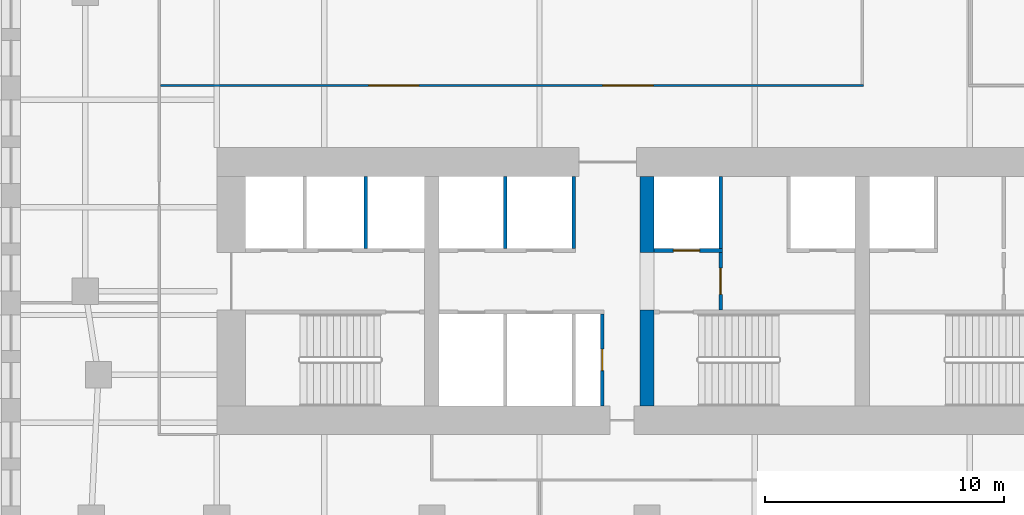
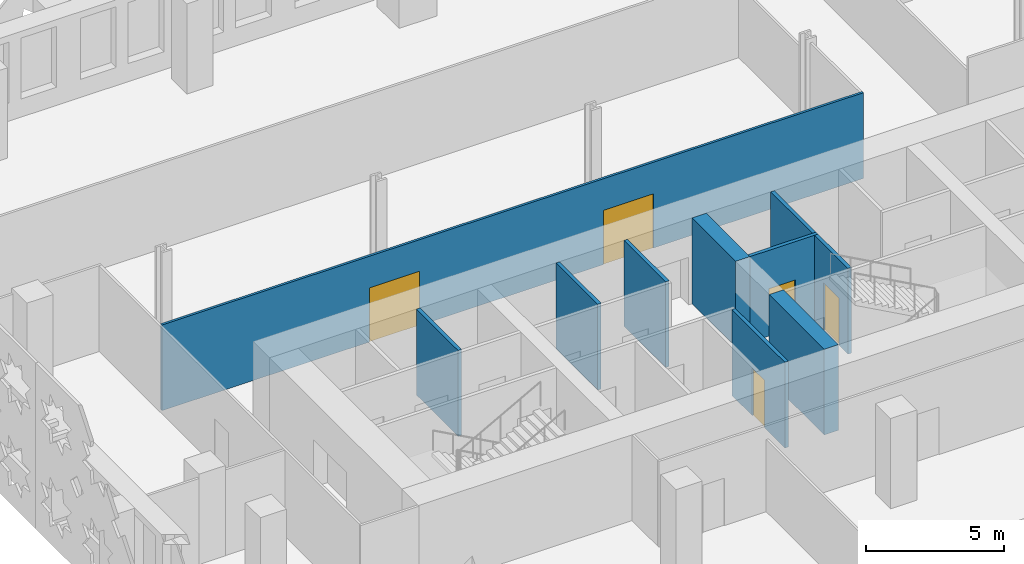
# One storey, part 4 of 15: 10 walls, 5 doors, 5 openings.
"""IFC4 building model written with IfcOpenShell, lengths in metres."""

from ifc_helpers import new_model, si_unit, direction, frame, frame_2d, origin, place, context, subcontext, project, spatial, rectangle, extrude, material, layer, layer_set, type_object, element, fill, save


model = new_model("IFC4")

# Units and contexts
model_context = context("Model", 3, precision=1e-05, world=origin(), true_north=direction((0.0, 1.0)))
body_context = subcontext(model_context, "Body", "Model", "MODEL_VIEW")
ifc_project = project(units=[si_unit("LENGTHUNIT", "METRE"), si_unit("AREAUNIT", "SQUARE_METRE"), si_unit("VOLUMEUNIT", "CUBIC_METRE"), si_unit("PLANEANGLEUNIT", "RADIAN"), si_unit("MASSUNIT", "GRAM", prefix="KILO")], contexts=[model_context])

# Site, building, storey
site_placement = place(None, origin())
site = spatial("IfcSite", under=ifc_project, at=site_placement, CompositionType="ELEMENT")
building_placement = place(site_placement, origin())
building = spatial("IfcBuilding", under=site, at=building_placement, Name="Zellij Exchange Tower", CompositionType="ELEMENT")
storey_placement = place(building_placement, frame((0.0, 0.0, 76.5)))
storey = spatial("IfcBuildingStorey", under=building, at=storey_placement, Name="L15", CompositionType="ELEMENT", Elevation=76.5)

# Walls
ifc_material_1 = material(Name="Concrete C70/85", Category="concrete")
ifc_layer_1 = layer(ifc_material_1, 0.60009765625)
ifc_layer_set_1 = layer_set([ifc_layer_1], Name="Concrete C70/85")
wall_type_1 = type_object("IfcWallType", Name="CORE-CW 600 C70/85", PredefinedType="SHEAR", material=ifc_layer_set_1)
wall_1_placement = place(storey_placement, frame((-9.0, -12.800048828125, 0.0), z_axis=(0.0, 0.0, 1.0), x_axis=(0.0, 1.0, 0.0)))
element("IfcWall", 1, at=wall_1_placement, inside=storey, type_object=wall_type_1, Name="Core cross wall pier x -9 a L15", PredefinedType="SHEAR", context=body_context, shape_type="SweptSolid", body=[
    extrude(rectangle(XDim=4.0, YDim=0.60009765625, at=frame_2d((2.0, 0.0))), origin(), (0.0, 0.0, 1.0), 3.800048828125),
])
wall_2_placement = place(storey_placement, frame((-9.0, -6.375, 0.0), z_axis=(0.0, 0.0, 1.0), x_axis=(0.0, 1.0, 0.0)))
element("IfcWall", 2, at=wall_2_placement, inside=storey, type_object=wall_type_1, Name="Core cross wall pier x -9 b L15", PredefinedType="SHEAR", context=body_context, shape_type="SweptSolid", body=[
    extrude(rectangle(XDim=3.175048828125, YDim=0.60009765625, at=frame_2d((1.58740234375, 0.0))), origin(), (0.0, 0.0, 1.0), 3.800048828125),
])

# Wall, opening, door
ifc_material_2 = material(Name="Gypsum shaft wall system")
ifc_layer_2 = layer(ifc_material_2, 0.14990234375)
ifc_layer_set_2 = layer_set([ifc_layer_2], Name="Gypsum shaft wall system")
wall_type_2 = type_object("IfcWallType", Name="CORE-PW 150 Firefighting lobby wall", PredefinedType="PARTITIONING", material=ifc_layer_set_2)
wall_3_placement = place(storey_placement, frame((-5.925048828125, -8.800048828125, 0.0), z_axis=(0.0, 0.0, 1.0), x_axis=(0.0, 1.0, 0.0)))
wall_3 = element("IfcWall", 3, at=wall_3_placement, inside=storey, type_object=wall_type_2, Name="Firefighting lobby wall L15", PredefinedType="PARTITIONING", context=body_context, shape_type="SweptSolid", body=[
    extrude(rectangle(XDim=2.425048828125, YDim=0.14990234375, at=frame_2d((1.21240234375, 0.0))), origin(), (0.0, 0.0, 1.0), 3.800048828125),
])
opening_1_placement = place(wall_3_placement, frame((0.662109375, 0.0, 0.0)))
opening_1 = element("IfcOpeningElement", 4, at=opening_1_placement, cuts=wall_3, Name="Opening CA-09.15", PredefinedType="OPENING", context=body_context, shape_type="SweptSolid", body=[
    extrude(rectangle(XDim=1.10009765625, YDim=2.10009765625, at=frame_2d((0.550048828125, 1.050048828125))), frame((0.0, 0.0869140625, 0.0), z_axis=(0.0, -1.0, 0.0), x_axis=(1.0, 0.0, 0.0)), (0.0, 0.0, 1.0), 0.173828125),
])
ifc_material_3 = material(Name="Hollow metal fire door")
door_type_1 = type_object("IfcDoorType", Name="CORE-D F Firefighting lobby door 1100x2100 1 HR", OperationType="NOTDEFINED", PredefinedType="DOOR", material=ifc_material_3)
door_1_placement = place(opening_1_placement, origin())
door_1 = element("IfcDoor", 5, at=door_1_placement, inside=storey, type_object=door_type_1, Name="Firefighting lobby door CA-09.15", OperationType="SINGLE_SWING_LEFT", OverallHeight=2.10009765625, OverallWidth=1.10009765625, PredefinedType="DOOR", context=body_context, shape_type="SweptSolid", body=[
    extrude(rectangle(XDim=1.10009765625, YDim=2.10009765625, at=frame_2d((0.550048828125, 1.050048828125))), frame((0.0, 0.02490234375, 0.0), z_axis=(0.0, -1.0, 0.0), x_axis=(1.0, 0.0, 0.0)), (0.0, 0.0, 1.0), 0.050048828125),
])
fill(opening_1, door_1)

ifc_material_4 = material(Name="Gypsum board partition")
ifc_layer_3 = layer(ifc_material_4, 0.14990234375)
ifc_layer_set_3 = layer_set([ifc_layer_3], Name="Gypsum board partition")
wall_type_3 = type_object("IfcWallType", Name="CORE-PW 150 Lift lobby wall", PredefinedType="PARTITIONING", material=ifc_layer_set_3)
wall_4_placement = place(storey_placement, frame((-10.875, -12.800048828125, 0.0), z_axis=(0.0, 0.0, 1.0), x_axis=(0.0, 1.0, 0.0)))
wall_4 = element("IfcWall", 6, at=wall_4_placement, inside=storey, type_object=wall_type_3, Name="Lift lobby wall L15", PredefinedType="PARTITIONING", context=body_context, shape_type="SweptSolid", body=[
    extrude(rectangle(XDim=3.85009765625, YDim=0.14990234375, at=frame_2d((1.925048828125, 0.0))), origin(), (0.0, 0.0, 1.0), 3.800048828125),
])
opening_2_placement = place(wall_4_placement, frame((1.47509765625, 0.0, 0.0)))
opening_2 = element("IfcOpeningElement", 7, at=opening_2_placement, cuts=wall_4, Name="Opening CA-09.10", PredefinedType="OPENING", context=body_context, shape_type="SweptSolid", body=[
    extrude(rectangle(XDim=0.89990234375, YDim=2.10009765625, at=frame_2d((0.449951171875, 1.050048828125))), frame((0.0, 0.0869140625, 0.0), z_axis=(0.0, -1.0, 0.0), x_axis=(1.0, 0.0, 0.0)), (0.0, 0.0, 1.0), 0.173828125),
])
door_type_2 = type_object("IfcDoorType", Name="CORE-D RD Riser door 900x2100 1.5 HR", OperationType="NOTDEFINED", PredefinedType="DOOR", material=ifc_material_3)
door_2_placement = place(opening_2_placement, origin())
door_2 = element("IfcDoor", 8, at=door_2_placement, inside=storey, type_object=door_type_2, Name="Riser door CA-09.10", OperationType="SINGLE_SWING_RIGHT", OverallHeight=2.10009765625, OverallWidth=0.89990234375, PredefinedType="DOOR", context=body_context, shape_type="SweptSolid", body=[
    extrude(rectangle(XDim=0.89990234375, YDim=2.10009765625, at=frame_2d((0.449951171875, 1.050048828125))), frame((0.0, 0.02490234375, 0.0), z_axis=(0.0, -1.0, 0.0), x_axis=(1.0, 0.0, 0.0)), (0.0, 0.0, 1.0), 0.050048828125),
])
fill(opening_2, door_2)

# Walls
ifc_layer_4 = layer(ifc_material_2, 0.14990234375)
ifc_layer_set_4 = layer_set([ifc_layer_4], Name="Gypsum shaft wall system")
wall_type_4 = type_object("IfcWallType", Name="CORE-PW 150 Lift shaft wall", PredefinedType="PARTITIONING", material=ifc_layer_set_4)
for number, where, z_axis, x_axis, name in (
    (9, (-20.77490234375, -6.22509765625, 0.0), (0.0, 0.0, 1.0), (0.0, 1.0, 0.0), "Lift shaft wall L15"),
    (10, (-12.074951171875, -6.22509765625, 0.0), (0.0, 0.0, 1.0), (0.0, 1.0, 0.0), "Lift shaft wall L15"),
    (11, (-14.925048828125, -6.22509765625, 0.0), (0.0, 0.0, 1.0), (0.0, 1.0, 0.0), "Lift shaft wall L15"),
    (12, (-5.925048828125, -6.22509765625, 0.0), (0.0, 0.0, 1.0), (0.0, 1.0, 0.0), "Lift shaft wall L15"),
):
    element("IfcWall", number, at=place(storey_placement, frame(where, z_axis=z_axis, x_axis=x_axis)), inside=storey, type_object=wall_type_4, Name=name, PredefinedType="PARTITIONING", context=body_context, shape_type="SweptSolid", body=[
        extrude(rectangle(XDim=3.025146484375, YDim=0.14990234375, at=frame_2d((1.5126953125, 0.0))), origin(), (0.0, 0.0, 1.0), 3.800048828125),
    ])

# Wall, opening, door
wall_5_placement = place(storey_placement, frame((-8.699951171875, -6.300048828125, 0.0), z_axis=(0.0, 0.0, 1.0), x_axis=(1.0, 0.0, 0.0)))
wall_5 = element("IfcWall", 13, at=wall_5_placement, inside=storey, type_object=wall_type_4, Name="Lift shaft wall L15", PredefinedType="PARTITIONING", context=body_context, shape_type="SweptSolid", body=[
    extrude(rectangle(XDim=2.849853515625, YDim=0.14990234375, at=frame_2d((1.4248046875, 0.0))), origin(), (0.0, 0.0, 1.0), 3.800048828125),
])
opening_3_placement = place(wall_5_placement, frame((0.800048828125, 0.0, 0.0)))
opening_3 = element("IfcOpeningElement", 14, at=opening_3_placement, cuts=wall_5, Name="Opening CA-09.14", PredefinedType="OPENING", context=body_context, shape_type="SweptSolid", body=[
    extrude(rectangle(XDim=1.10009765625, YDim=2.10009765625, at=frame_2d((0.550048828125, 1.050048828125))), frame((0.0, 0.0869140625, 0.0), z_axis=(0.0, -1.0, 0.0), x_axis=(1.0, 0.0, 0.0)), (0.0, 0.0, 1.0), 0.173828125),
])
door_type_3 = type_object("IfcDoorType", Name="CORE-D LD Lift landing door 1100x2100 1.5 HR", OperationType="NOTDEFINED", PredefinedType="DOOR", material=ifc_material_3)
door_3_placement = place(opening_3_placement, origin())
door_3 = element("IfcDoor", 15, at=door_3_placement, inside=storey, type_object=door_type_3, Name="Lift landing door CA-09.14", OperationType="SLIDING_TO_RIGHT", OverallHeight=2.10009765625, OverallWidth=1.10009765625, PredefinedType="DOOR", context=body_context, shape_type="SweptSolid", body=[
    extrude(rectangle(XDim=1.10009765625, YDim=2.10009765625, at=frame_2d((0.550048828125, 1.050048828125))), frame((0.0, 0.02490234375, 0.0), z_axis=(0.0, -1.0, 0.0), x_axis=(1.0, 0.0, 0.0)), (0.0, 0.0, 1.0), 0.050048828125),
])
fill(opening_3, door_3)

# Wall, openings, doors
ifc_material_5 = material(Name="Gypsum board partition on steel studs", Category="steel")
ifc_layer_5 = layer(ifc_material_5, 0.10009765625)
ifc_layer_set_5 = layer_set([ifc_layer_5], Name="Gypsum board partition on steel studs")
wall_type_5 = type_object("IfcWallType", Name="FIT-PARTITION-100", PredefinedType="PARTITIONING", material=ifc_layer_set_5)
wall_6_placement = place(storey_placement, frame((-29.35009765625, 0.60009765625, 0.0), z_axis=(0.0, 0.0, 1.0), x_axis=(1.0, 0.0, 0.0)))
wall_6 = element("IfcWall", 16, at=wall_6_placement, inside=storey, type_object=wall_type_5, Name="FIT-PARTITION-100 021", PredefinedType="PARTITIONING", context=body_context, shape_type="SweptSolid", body=[
    extrude(rectangle(XDim=29.400146484375, YDim=0.10009765625, at=frame_2d((14.7001953125, 0.0))), origin(), (0.0, 0.0, 1.0), 3.800048828125),
])
opening_4_placement = place(wall_6_placement, frame((8.699951171875, 0.0, 0.0)))
opening_4 = element("IfcOpeningElement", 17, at=opening_4_placement, cuts=wall_6, Name="Opening TC.09", PredefinedType="OPENING", context=body_context, shape_type="SweptSolid", body=[
    extrude(rectangle(XDim=2.10009765625, YDim=2.39990234375, at=frame_2d((1.050048828125, 1.199951171875))), frame((0.0, 0.06201171875, 0.0), z_axis=(0.0, -1.0, 0.0), x_axis=(1.0, 0.0, 0.0)), (0.0, 0.0, 1.0), 0.1240234375),
])
opening_5_placement = place(wall_6_placement, frame((18.5, 0.0, 0.0)))
opening_5 = element("IfcOpeningElement", 18, at=opening_5_placement, cuts=wall_6, Name="Opening TC.10", PredefinedType="OPENING", context=body_context, shape_type="SweptSolid", body=[
    extrude(rectangle(XDim=2.10009765625, YDim=2.39990234375, at=frame_2d((1.050048828125, 1.199951171875))), frame((0.0, 0.06201171875, 0.0), z_axis=(0.0, -1.0, 0.0), x_axis=(1.0, 0.0, 0.0)), (0.0, 0.0, 1.0), 0.1240234375),
])
ifc_material_6 = material(Name="Timber door set", Category="wood")
door_type_4 = type_object("IfcDoorType", Name="FIT-D7-ASSEMBLY-2100X2400", OperationType="DOUBLE_DOOR_SINGLE_SWING", PredefinedType="DOOR", material=ifc_material_6)
door_4_placement = place(opening_4_placement, origin())
door_4 = element("IfcDoor", 19, at=door_4_placement, inside=storey, type_object=door_type_4, Name="Door TC.09", OperationType="DOUBLE_DOOR_SINGLE_SWING", OverallHeight=2.39990234375, OverallWidth=2.10009765625, PredefinedType="DOOR", context=body_context, shape_type="SweptSolid", body=[
    extrude(rectangle(XDim=2.10009765625, YDim=2.39990234375, at=frame_2d((1.050048828125, 1.199951171875))), frame((0.0, 0.02490234375, 0.0), z_axis=(0.0, -1.0, 0.0), x_axis=(1.0, 0.0, 0.0)), (0.0, 0.0, 1.0), 0.050048828125),
])
fill(opening_4, door_4)
door_5_placement = place(opening_5_placement, origin())
door_5 = element("IfcDoor", 20, at=door_5_placement, inside=storey, type_object=door_type_4, Name="Door TC.10", OperationType="DOUBLE_DOOR_SINGLE_SWING", OverallHeight=2.39990234375, OverallWidth=2.10009765625, PredefinedType="DOOR", context=body_context, shape_type="SweptSolid", body=[
    extrude(rectangle(XDim=2.10009765625, YDim=2.39990234375, at=frame_2d((1.050048828125, 1.199951171875))), frame((0.0, 0.02490234375, 0.0), z_axis=(0.0, -1.0, 0.0), x_axis=(1.0, 0.0, 0.0)), (0.0, 0.0, 1.0), 0.050048828125),
])
fill(opening_5, door_5)

save(model, "model.ifc")
